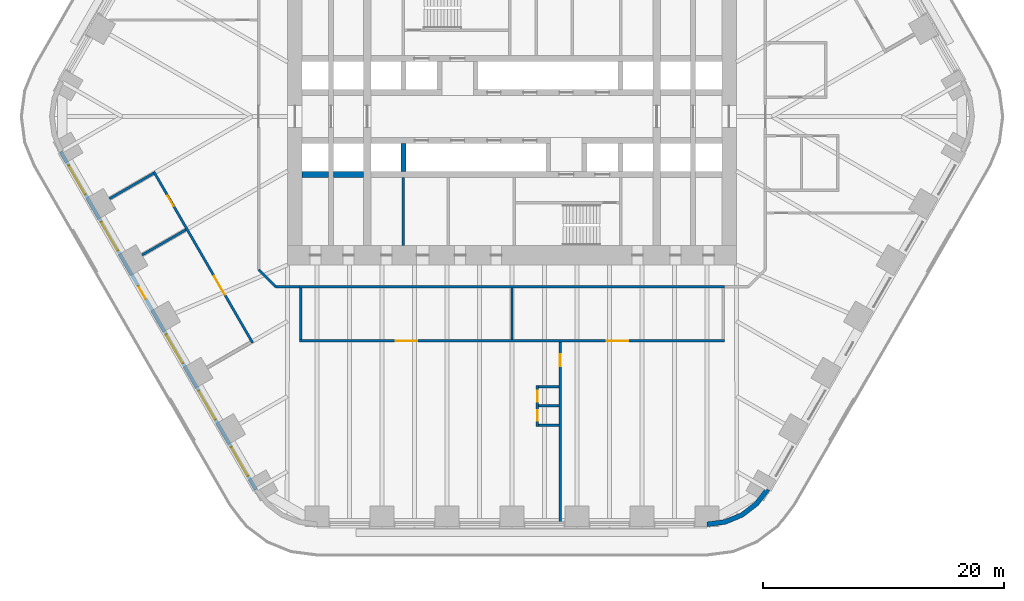
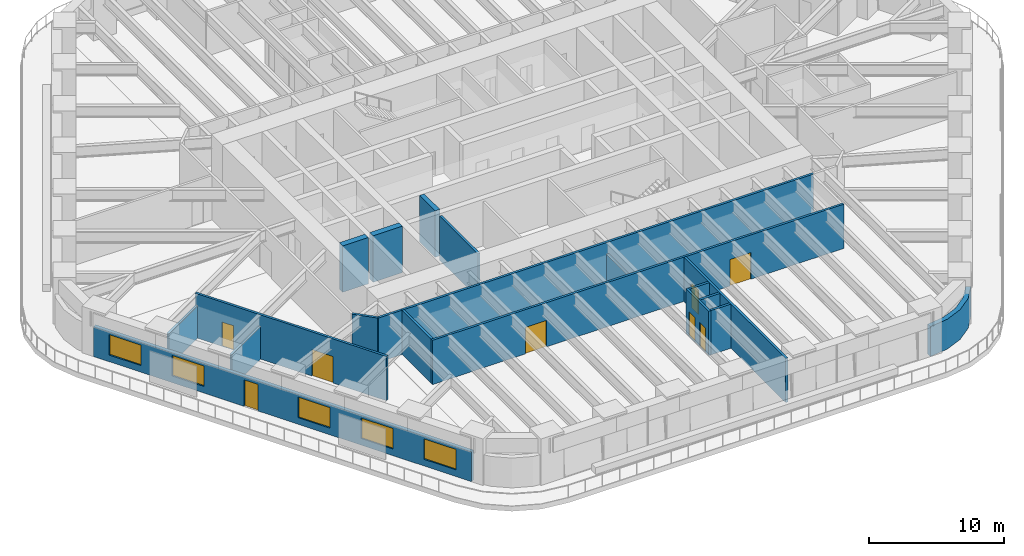
# One storey, part 16 of 24: 20 walls, 8 doors, 5 windows, 13 openings.
"""IFC4 building model written with IfcOpenShell, lengths in metres."""

from ifc_helpers import new_model, si_unit, direction, frame, frame_2d, origin, place, context, subcontext, project, spatial, polyline, rectangle, outline, extrude, material, layer, layer_set, type_object, element, fill, save


model = new_model("IFC4")

# Units and contexts
model_context = context("Model", 3, precision=1e-05, world=origin(), true_north=direction((0.0, 1.0)))
body_context = subcontext(model_context, "Body", "Model", "MODEL_VIEW")
ifc_project = project(units=[si_unit("LENGTHUNIT", "METRE"), si_unit("AREAUNIT", "SQUARE_METRE"), si_unit("VOLUMEUNIT", "CUBIC_METRE"), si_unit("PLANEANGLEUNIT", "RADIAN"), si_unit("MASSUNIT", "GRAM", prefix="KILO")], contexts=[model_context])

# Site, building, storey
site_placement = place(None, origin())
site = spatial("IfcSite", under=ifc_project, at=site_placement, CompositionType="ELEMENT")
building_placement = place(site_placement, origin())
building = spatial("IfcBuilding", under=site, at=building_placement, Name="Tarfa Lantern Tower", CompositionType="ELEMENT")
storey_placement = place(building_placement, frame((0.0, 0.0, 65.5)))
storey = spatial("IfcBuildingStorey", under=building, at=storey_placement, Name="L14", CompositionType="ELEMENT", Elevation=65.5)

# Wall, openings, door, windows
ifc_material_1 = material(Name="Limestone cladding on blockwork", Category="masonry")
ifc_layer_1 = layer(ifc_material_1, 0.300048828125)
ifc_layer_set_1 = layer_set([ifc_layer_1], Name="EW1 STONE-CLAD WALL 300")
wall_type_1 = type_object("IfcWallType", Name="EW1 STONE-CLAD WALL 300", PredefinedType="SOLIDWALL", material=ifc_layer_set_1)
wall_1_placement = place(storey_placement, frame((-37.39794921875, -2.925048828125, 0.0), z_axis=(0.0, 0.0, 1.0), x_axis=(0.499999163675, -0.866025886636, 0.0)))
wall_1 = element("IfcWall", 1, at=wall_1_placement, inside=storey, type_object=wall_type_1, Name="Stone wall SW", PredefinedType="SOLIDWALL", context=body_context, shape_type="SweptSolid", body=[
    extrude(rectangle(XDim=32.33154296875, YDim=0.300048828125, at=frame_2d((16.165771484375, 0.0))), origin(), (0.0, 0.0, 1.0), 2.699951171875),
])
opening_1_placement = place(wall_1_placement, frame((1.3193359375, 0.0, 0.60009765625)))
opening_1 = element("IfcOpeningElement", 2, at=opening_1_placement, cuts=wall_1, Name="Opening W2", PredefinedType="OPENING", context=body_context, shape_type="SweptSolid", body=[
    extrude(rectangle(XDim=2.75, YDim=1.85009765625, at=frame_2d((1.375, 0.925048828125))), frame((0.0, 0.159912109375, 0.0), z_axis=(0.0, -1.0, 0.0), x_axis=(1.0, 0.0, 0.0)), (0.0, 0.0, 1.0), 0.320068359375),
])
opening_2_placement = place(wall_1_placement, frame((6.7080078125, 0.0, 0.60009765625)))
opening_2 = element("IfcOpeningElement", 3, at=opening_2_placement, cuts=wall_1, Name="Opening W2", PredefinedType="OPENING", context=body_context, shape_type="SweptSolid", body=[
    extrude(rectangle(XDim=2.75, YDim=1.85009765625, at=frame_2d((1.375, 0.925048828125))), frame((0.0, 0.159912109375, 0.0), z_axis=(0.0, -1.0, 0.0), x_axis=(1.0, 0.0, 0.0)), (0.0, 0.0, 1.0), 0.320068359375),
])
opening_3_placement = place(wall_1_placement, frame((12.87158203125, 0.0, 0.0)))
opening_3 = element("IfcOpeningElement", 4, at=opening_3_placement, cuts=wall_1, Name="Opening D56", PredefinedType="OPENING", context=body_context, shape_type="SweptSolid", body=[
    extrude(rectangle(XDim=1.199951171875, YDim=2.39990234375, at=frame_2d((0.60009765625, 1.199951171875))), frame((0.0, 0.159912109375, 0.0), z_axis=(0.0, -1.0, 0.0), x_axis=(1.0, 0.0, 0.0)), (0.0, 0.0, 1.0), 0.320068359375),
])
opening_4_placement = place(wall_1_placement, frame((17.485107421875, 0.0, 0.60009765625)))
opening_4 = element("IfcOpeningElement", 5, at=opening_4_placement, cuts=wall_1, Name="Opening W2", PredefinedType="OPENING", context=body_context, shape_type="SweptSolid", body=[
    extrude(rectangle(XDim=2.75, YDim=1.85009765625, at=frame_2d((1.375, 0.925048828125))), frame((0.0, 0.159912109375, 0.0), z_axis=(0.0, -1.0, 0.0), x_axis=(1.0, 0.0, 0.0)), (0.0, 0.0, 1.0), 0.320068359375),
])
opening_5_placement = place(wall_1_placement, frame((22.873779296875, 0.0, 0.60009765625)))
opening_5 = element("IfcOpeningElement", 6, at=opening_5_placement, cuts=wall_1, Name="Opening W2", PredefinedType="OPENING", context=body_context, shape_type="SweptSolid", body=[
    extrude(rectangle(XDim=2.75, YDim=1.85009765625, at=frame_2d((1.375, 0.925048828125))), frame((0.0, 0.159912109375, 0.0), z_axis=(0.0, -1.0, 0.0), x_axis=(1.0, 0.0, 0.0)), (0.0, 0.0, 1.0), 0.320068359375),
])
opening_6_placement = place(wall_1_placement, frame((28.26220703125, 0.0, 0.60009765625)))
opening_6 = element("IfcOpeningElement", 7, at=opening_6_placement, cuts=wall_1, Name="Opening W2", PredefinedType="OPENING", context=body_context, shape_type="SweptSolid", body=[
    extrude(rectangle(XDim=2.75, YDim=1.85009765625, at=frame_2d((1.375, 0.925048828125))), frame((0.0, 0.159912109375, 0.0), z_axis=(0.0, -1.0, 0.0), x_axis=(1.0, 0.0, 0.0)), (0.0, 0.0, 1.0), 0.320068359375),
])
ifc_material_2 = material(Name="Aluminium framed glazed door", Category="aluminium")
door_type_1 = type_object("IfcDoorType", Name="BE3 BALCONY DOOR 1200x2400", OperationType="SINGLE_SWING_RIGHT", PredefinedType="DOOR", material=ifc_material_2)
door_1_placement = place(opening_3_placement, origin())
door_1 = element("IfcDoor", 8, at=door_1_placement, inside=storey, type_object=door_type_1, Name="Balcony door SW", OperationType="SINGLE_SWING_RIGHT", OverallHeight=2.39990234375, OverallWidth=1.199951171875, PredefinedType="DOOR", context=body_context, shape_type="SweptSolid", body=[
    extrude(rectangle(XDim=1.199951171875, YDim=2.39990234375, at=frame_2d((0.60009765625, 1.199951171875))), frame((0.0, 0.02490234375, 0.0), z_axis=(0.0, -1.0, 0.0), x_axis=(1.0, 0.0, 0.0)), (0.0, 0.0, 1.0), 0.050048828125),
])
fill(opening_3, door_1)
ifc_material_3 = material(Name="Aluminium frame, double glazed", Category="aluminium")
window_type = type_object("IfcWindowType", Name="W2 FULL-HEIGHT GLAZING 2750x1850", PartitioningType="SINGLE_PANEL", PredefinedType="WINDOW", material=ifc_material_3)
window_1_placement = place(opening_1_placement, origin())
window_1 = element("IfcWindow", 9, at=window_1_placement, inside=storey, type_object=window_type, Name="Window SW 1", OverallHeight=1.85009765625, OverallWidth=2.75, PartitioningType="SINGLE_PANEL", PredefinedType="WINDOW", context=body_context, shape_type="SweptSolid", body=[
    extrude(rectangle(XDim=2.75, YDim=1.85009765625, at=frame_2d((1.375, 0.925048828125))), frame((0.0, 0.030029296875, 0.0), z_axis=(0.0, -1.0, 0.0), x_axis=(1.0, 0.0, 0.0)), (0.0, 0.0, 1.0), 0.06005859375),
])
fill(opening_1, window_1)
window_2_placement = place(opening_2_placement, origin())
window_2 = element("IfcWindow", 10, at=window_2_placement, inside=storey, type_object=window_type, Name="Window SW 2", OverallHeight=1.85009765625, OverallWidth=2.75, PartitioningType="SINGLE_PANEL", PredefinedType="WINDOW", context=body_context, shape_type="SweptSolid", body=[
    extrude(rectangle(XDim=2.75, YDim=1.85009765625, at=frame_2d((1.375, 0.925048828125))), frame((0.0, 0.030029296875, 0.0), z_axis=(0.0, -1.0, 0.0), x_axis=(1.0, 0.0, 0.0)), (0.0, 0.0, 1.0), 0.06005859375),
])
fill(opening_2, window_2)
window_3_placement = place(opening_4_placement, origin())
window_3 = element("IfcWindow", 11, at=window_3_placement, inside=storey, type_object=window_type, Name="Window SW 4", OverallHeight=1.85009765625, OverallWidth=2.75, PartitioningType="SINGLE_PANEL", PredefinedType="WINDOW", context=body_context, shape_type="SweptSolid", body=[
    extrude(rectangle(XDim=2.75, YDim=1.85009765625, at=frame_2d((1.375, 0.925048828125))), frame((0.0, 0.030029296875, 0.0), z_axis=(0.0, -1.0, 0.0), x_axis=(1.0, 0.0, 0.0)), (0.0, 0.0, 1.0), 0.06005859375),
])
fill(opening_4, window_3)
window_4_placement = place(opening_5_placement, origin())
window_4 = element("IfcWindow", 12, at=window_4_placement, inside=storey, type_object=window_type, Name="Window SW 5", OverallHeight=1.85009765625, OverallWidth=2.75, PartitioningType="SINGLE_PANEL", PredefinedType="WINDOW", context=body_context, shape_type="SweptSolid", body=[
    extrude(rectangle(XDim=2.75, YDim=1.85009765625, at=frame_2d((1.375, 0.925048828125))), frame((0.0, 0.030029296875, 0.0), z_axis=(0.0, -1.0, 0.0), x_axis=(1.0, 0.0, 0.0)), (0.0, 0.0, 1.0), 0.06005859375),
])
fill(opening_5, window_4)
window_5_placement = place(opening_6_placement, origin())
window_5 = element("IfcWindow", 13, at=window_5_placement, inside=storey, type_object=window_type, Name="Window SW 6", OverallHeight=1.85009765625, OverallWidth=2.75, PartitioningType="SINGLE_PANEL", PredefinedType="WINDOW", context=body_context, shape_type="SweptSolid", body=[
    extrude(rectangle(XDim=2.75, YDim=1.85009765625, at=frame_2d((1.375, 0.925048828125))), frame((0.0, 0.030029296875, 0.0), z_axis=(0.0, -1.0, 0.0), x_axis=(1.0, 0.0, 0.0)), (0.0, 0.0, 1.0), 0.06005859375),
])
fill(opening_6, window_5)

# Walls
ifc_layer_2 = layer(ifc_material_1, 0.39990234375)
ifc_layer_set_2 = layer_set([ifc_layer_2], Name="EW2 CURVED STONE CORNER 400")
wall_type_2 = type_object("IfcWallType", Name="EW2 CURVED STONE CORNER 400", PredefinedType="SOLIDWALL", material=ifc_layer_set_2)
wall_2_placement = place(storey_placement, origin())
element("IfcWall", 14, at=wall_2_placement, inside=storey, type_object=wall_type_2, Name="Stone corner S-SE", PredefinedType="SOLIDWALL", context=body_context, shape_type="SweptSolid", body=[
    extrude(outline(polyline([(16.165771484375, -34.0), (17.71875, -33.795654296875), (19.165771484375, -33.196044921875), (20.408447265625, -32.24267578125), (21.362060546875, -31.0), (21.015625, -30.800048828125), (20.12548828125, -31.959716796875), (18.9658203125, -32.849853515625), (17.615234375, -33.4091796875), (16.165771484375, -33.60009765625), (16.165771484375, -34.0)])), origin(), (0.0, 0.0, 1.0), 2.699951171875),
])
ifc_material_4 = material(Name="Concrete blockwork", Category="masonry")
ifc_layer_3 = layer(ifc_material_4, 0.199951171875)
ifc_layer_set_3 = layer_set([ifc_layer_3], Name="IW1 BLOCKWORK PARTITION 200 EI 120")
wall_type_3 = type_object("IfcWallType", Name="IW1 BLOCKWORK PARTITION 200 EI 120", PredefinedType="PARTITIONING", material=ifc_layer_set_3)
wall_3_placement = place(storey_placement, frame((-9.0, -5.050048828125, 0.0), z_axis=(0.0, 0.0, 1.0), x_axis=(0.0, -1.0, 0.0)))
element("IfcWall", 15, at=wall_3_placement, inside=storey, type_object=wall_type_3, Name="Core partition", PredefinedType="PARTITIONING", context=body_context, shape_type="SweptSolid", body=[
    extrude(rectangle(XDim=5.64990234375, YDim=0.199951171875, at=frame_2d((2.824951171875, 0.0))), origin(), (0.0, 0.0, 1.0), 4.0),
])
ifc_material_5 = material(Name="Gypsum board on steel studs", Category="steel")
ifc_layer_4 = layer(ifc_material_5, 0.2099609375)
ifc_layer_set_4 = layer_set([ifc_layer_4], Name="IW2 ACOUSTIC PARTITION 200")
wall_type_4 = type_object("IfcWallType", Name="IW2 ACOUSTIC PARTITION 200", PredefinedType="PARTITIONING", material=ifc_layer_set_4)
wall_4_placement = place(storey_placement, frame((17.60009765625, -14.10009765625, 0.0), z_axis=(0.0, 0.0, 1.0), x_axis=(-1.0, 0.0, 0.0)))
element("IfcWall", 16, at=wall_4_placement, inside=storey, type_object=wall_type_4, Name="Partition", PredefinedType="PARTITIONING", context=body_context, shape_type="SweptSolid", body=[
    extrude(rectangle(XDim=35.2001953125, YDim=0.199951171875, at=frame_2d((17.60009765625, 0.0))), origin(), (0.0, 0.0, 1.0), 4.0),
])

# Wall, openings, doors
wall_5_placement = place(storey_placement, frame((17.60009765625, -18.60009765625, 0.0), z_axis=(0.0, 0.0, 1.0), x_axis=(-1.0, 0.0, 0.0)))
wall_5 = element("IfcWall", 17, at=wall_5_placement, inside=storey, type_object=wall_type_4, Name="Partition", PredefinedType="PARTITIONING", context=body_context, shape_type="SweptSolid", body=[
    extrude(rectangle(XDim=35.2001953125, YDim=0.199951171875, at=frame_2d((17.60009765625, 0.0))), origin(), (0.0, 0.0, 1.0), 4.0),
])
opening_7_placement = place(wall_5_placement, frame((7.949951171875, 0.0, 0.0)))
opening_7 = element("IfcOpeningElement", 18, at=opening_7_placement, cuts=wall_5, Name="Opening D41", PredefinedType="OPENING", context=body_context, shape_type="SweptSolid", body=[
    extrude(rectangle(XDim=1.800048828125, YDim=2.39990234375, at=frame_2d((0.89990234375, 1.199951171875))), frame((0.0, 0.10986328125, 0.0), z_axis=(0.0, -1.0, 0.0), x_axis=(1.0, 0.0, 0.0)), (0.0, 0.0, 1.0), 0.219970703125),
])
opening_8_placement = place(wall_5_placement, frame((25.449951171875, 0.0, 0.0)))
opening_8 = element("IfcOpeningElement", 19, at=opening_8_placement, cuts=wall_5, Name="Opening D42", PredefinedType="OPENING", context=body_context, shape_type="SweptSolid", body=[
    extrude(rectangle(XDim=1.800048828125, YDim=2.39990234375, at=frame_2d((0.89990234375, 1.199951171875))), frame((0.0, 0.10986328125, 0.0), z_axis=(0.0, -1.0, 0.0), x_axis=(1.0, 0.0, 0.0)), (0.0, 0.0, 1.0), 0.219970703125),
])
ifc_material_6 = material(Name="Timber door", Category="wood")
door_type_2 = type_object("IfcDoorType", Name="DR2 ROOM DOOR 1800x2400", OperationType="DOUBLE_DOOR_SINGLE_SWING", PredefinedType="DOOR", material=ifc_material_6)
door_2_placement = place(opening_7_placement, frame((1.800048828125, 0.0, 0.0), z_axis=(0.0, 0.0, 1.0), x_axis=(-1.0, 0.0, 0.0)))
door_2 = element("IfcDoor", 20, at=door_2_placement, inside=storey, type_object=door_type_2, Name="Tender room door", OperationType="DOUBLE_DOOR_SINGLE_SWING", OverallHeight=2.39990234375, OverallWidth=1.800048828125, PredefinedType="DOOR", context=body_context, shape_type="SweptSolid", body=[
    extrude(rectangle(XDim=1.800048828125, YDim=2.39990234375, at=frame_2d((0.89990234375, 1.199951171875))), frame((0.0, 0.02490234375, 0.0), z_axis=(0.0, -1.0, 0.0), x_axis=(1.0, 0.0, 0.0)), (0.0, 0.0, 1.0), 0.050048828125),
])
fill(opening_7, door_2)
door_3_placement = place(opening_8_placement, frame((1.800048828125, 0.0, 0.0), z_axis=(0.0, 0.0, 1.0), x_axis=(-1.0, 0.0, 0.0)))
door_3 = element("IfcDoor", 21, at=door_3_placement, inside=storey, type_object=door_type_2, Name="Tender room door", OperationType="DOUBLE_DOOR_SINGLE_SWING", OverallHeight=2.39990234375, OverallWidth=1.800048828125, PredefinedType="DOOR", context=body_context, shape_type="SweptSolid", body=[
    extrude(rectangle(XDim=1.800048828125, YDim=2.39990234375, at=frame_2d((0.89990234375, 1.199951171875))), frame((0.0, 0.02490234375, 0.0), z_axis=(0.0, -1.0, 0.0), x_axis=(1.0, 0.0, 0.0)), (0.0, 0.0, 1.0), 0.050048828125),
])
fill(opening_8, door_3)

# Walls
wall_6_placement = place(storey_placement, frame((0.0, -14.199951171875, 0.0), z_axis=(0.0, 0.0, 1.0), x_axis=(0.0, -1.0, 0.0)))
element("IfcWall", 22, at=wall_6_placement, inside=storey, type_object=wall_type_4, Name="Partition", PredefinedType="PARTITIONING", context=body_context, shape_type="SweptSolid", body=[
    extrude(rectangle(XDim=4.300048828125, YDim=0.199951171875, at=frame_2d((2.14990234375, 0.0))), origin(), (0.0, 0.0, 1.0), 2.944091796875),
])
wall_7_placement = place(storey_placement, frame((-17.5, -14.199951171875, 0.0), z_axis=(0.0, 0.0, 1.0), x_axis=(0.0, -1.0, 0.0)))
element("IfcWall", 23, at=wall_7_placement, inside=storey, type_object=wall_type_4, Name="Partition", PredefinedType="PARTITIONING", context=body_context, shape_type="SweptSolid", body=[
    extrude(rectangle(XDim=4.300048828125, YDim=0.199951171875, at=frame_2d((2.14990234375, 0.0))), origin(), (0.0, 0.0, 1.0), 4.0),
])

# Wall, openings, doors
wall_8_placement = place(storey_placement, frame((-29.687255859375, -4.580078125, 0.0), z_axis=(0.0, 0.0, 1.0), x_axis=(0.500000949028, -0.866024855862, 0.0)))
wall_8 = element("IfcWall", 24, at=wall_8_placement, inside=storey, type_object=wall_type_4, Name="Partition", PredefinedType="PARTITIONING", context=body_context, shape_type="SweptSolid", body=[
    extrude(rectangle(XDim=16.36572265625, YDim=0.199951171875, at=frame_2d((8.182861328125, 0.0))), origin(), (0.0, 0.0, 1.0), 4.0),
])
opening_9_placement = place(wall_8_placement, frame((2.294189453125, 0.0, 0.0)))
opening_9 = element("IfcOpeningElement", 25, at=opening_9_placement, cuts=wall_8, Name="Opening D39", PredefinedType="OPENING", context=body_context, shape_type="SweptSolid", body=[
    extrude(rectangle(XDim=1.0, YDim=2.199951171875, at=frame_2d((0.5, 1.10009765625))), frame((0.0, 0.10986328125, 0.0), z_axis=(0.0, -1.0, 0.0), x_axis=(1.0, 0.0, 0.0)), (0.0, 0.0, 1.0), 0.219970703125),
])
opening_10_placement = place(wall_8_placement, frame((9.977294921875, 0.0, 0.0)))
opening_10 = element("IfcOpeningElement", 26, at=opening_10_placement, cuts=wall_8, Name="Opening D40", PredefinedType="OPENING", context=body_context, shape_type="SweptSolid", body=[
    extrude(rectangle(XDim=1.800048828125, YDim=2.39990234375, at=frame_2d((0.89990234375, 1.199951171875))), frame((0.0, 0.10986328125, 0.0), z_axis=(0.0, -1.0, 0.0), x_axis=(1.0, 0.0, 0.0)), (0.0, 0.0, 1.0), 0.219970703125),
])
door_type_3 = type_object("IfcDoorType", Name="DR1 ROOM DOOR 1000x2200", OperationType="SINGLE_SWING_LEFT", PredefinedType="DOOR", material=ifc_material_6)
door_4_placement = place(opening_9_placement, frame((1.0, 0.0, 0.0), z_axis=(0.0, 0.0, 1.0), x_axis=(-1.0, 0.0, 0.0)))
door_4 = element("IfcDoor", 27, at=door_4_placement, inside=storey, type_object=door_type_3, Name="Quality inspection room door", OperationType="SINGLE_SWING_LEFT", OverallHeight=2.199951171875, OverallWidth=1.0, PredefinedType="DOOR", context=body_context, shape_type="SweptSolid", body=[
    extrude(rectangle(XDim=1.0, YDim=2.199951171875, at=frame_2d((0.5, 1.10009765625))), frame((0.0, 0.02490234375, 0.0), z_axis=(0.0, -1.0, 0.0), x_axis=(1.0, 0.0, 0.0)), (0.0, 0.0, 1.0), 0.050048828125),
])
fill(opening_9, door_4)
door_5_placement = place(opening_10_placement, frame((1.800048828125, 0.0, 0.0), z_axis=(0.0, 0.0, 1.0), x_axis=(-1.0, 0.0, 0.0)))
door_5 = element("IfcDoor", 28, at=door_5_placement, inside=storey, type_object=door_type_2, Name="File room door", OperationType="DOUBLE_DOOR_SINGLE_SWING", OverallHeight=2.39990234375, OverallWidth=1.800048828125, PredefinedType="DOOR", context=body_context, shape_type="SweptSolid", body=[
    extrude(rectangle(XDim=1.800048828125, YDim=2.39990234375, at=frame_2d((0.89990234375, 1.199951171875))), frame((0.0, 0.02490234375, 0.0), z_axis=(0.0, -1.0, 0.0), x_axis=(1.0, 0.0, 0.0)), (0.0, 0.0, 1.0), 0.050048828125),
])
fill(opening_10, door_5)

# Walls
for number, where, z_axis, x_axis, name in (
    (29, (-29.723876953125, -4.716552734375, 0.0), (0.0, 0.0, 1.0), (-0.866023935413, -0.500002543286, 0.0), "Partition"),
    (30, (-27.029541015625, -9.38330078125, 0.0), (0.0, 0.0, 1.0), (-0.866023935413, -0.500002543286, 0.0), "Partition"),
):
    element("IfcWall", number, at=place(storey_placement, frame(where, z_axis=z_axis, x_axis=x_axis)), inside=storey, type_object=wall_type_4, Name=name, PredefinedType="PARTITIONING", context=body_context, shape_type="SweptSolid", body=[
        extrude(rectangle(XDim=4.2001953125, YDim=0.199951171875, at=frame_2d((2.10009765625, 0.0))), origin(), (0.0, 0.0, 1.0), 2.944091796875),
    ])
wall_9_placement = place(storey_placement, frame((-17.60009765625, -14.10009765625, 0.0), z_axis=(0.0, 0.0, 1.0), x_axis=(-1.0, 0.0, 0.0)))
element("IfcWall", 31, at=wall_9_placement, inside=storey, type_object=wall_type_4, Name="Partition", PredefinedType="PARTITIONING", context=body_context, shape_type="SweptSolid", body=[
    extrude(rectangle(XDim=2.0, YDim=0.199951171875, at=frame_2d((1.0, 0.0))), origin(), (0.0, 0.0, 1.0), 4.0),
])
wall_10_placement = place(storey_placement, frame((-19.60009765625, -14.10009765625, 0.0), z_axis=(0.0, 0.0, 1.0), x_axis=(-0.707045124756, 0.707168432242, 0.0)))
element("IfcWall", 32, at=wall_10_placement, inside=storey, type_object=wall_type_4, Name="Partition", PredefinedType="PARTITIONING", context=body_context, shape_type="SweptSolid", body=[
    extrude(rectangle(XDim=1.97998046875, YDim=0.199951171875, at=frame_2d((0.989990234375, 0.0))), origin(), (0.0, 0.0, 1.0), 4.0),
])

# Wall, opening, door
wall_11_placement = place(storey_placement, frame((4.0, -18.699951171875, 0.0), z_axis=(0.0, 0.0, 1.0), x_axis=(0.0, -1.0, 0.0)))
wall_11 = element("IfcWall", 33, at=wall_11_placement, inside=storey, type_object=wall_type_4, Name="Partition", PredefinedType="PARTITIONING", context=body_context, shape_type="SweptSolid", body=[
    extrude(rectangle(XDim=15.10009765625, YDim=0.199951171875, at=frame_2d((7.550048828125, 0.0))), origin(), (0.0, 0.0, 1.0), 4.0),
])
opening_11_placement = place(wall_11_placement, frame((1.010009765625, 0.0, 0.0)))
opening_11 = element("IfcOpeningElement", 34, at=opening_11_placement, cuts=wall_11, Name="Opening D52", PredefinedType="OPENING", context=body_context, shape_type="SweptSolid", body=[
    extrude(rectangle(XDim=1.0, YDim=2.199951171875, at=frame_2d((0.5, 1.10009765625))), frame((0.0, 0.10986328125, 0.0), z_axis=(0.0, -1.0, 0.0), x_axis=(1.0, 0.0, 0.0)), (0.0, 0.0, 1.0), 0.219970703125),
])
door_6_placement = place(opening_11_placement, origin())
door_6 = element("IfcDoor", 35, at=door_6_placement, inside=storey, type_object=door_type_3, Name="Zone door", OperationType="SINGLE_SWING_RIGHT", OverallHeight=2.199951171875, OverallWidth=1.0, PredefinedType="DOOR", context=body_context, shape_type="SweptSolid", body=[
    extrude(rectangle(XDim=1.0, YDim=2.199951171875, at=frame_2d((0.5, 1.10009765625))), frame((0.0, 0.02490234375, 0.0), z_axis=(0.0, -1.0, 0.0), x_axis=(1.0, 0.0, 0.0)), (0.0, 0.0, 1.0), 0.050048828125),
])
fill(opening_11, door_6)

# Wall, openings, doors
wall_12_placement = place(storey_placement, frame((2.10009765625, -22.284912109375, 0.0), z_axis=(0.0, 0.0, 1.0), x_axis=(0.0, -1.0, 0.0)))
wall_12 = element("IfcWall", 36, at=wall_12_placement, inside=storey, type_object=wall_type_4, Name="Partition", PredefinedType="PARTITIONING", context=body_context, shape_type="SweptSolid", body=[
    extrude(rectangle(XDim=3.400146484375, YDim=0.199951171875, at=frame_2d((1.7001953125, 0.0))), origin(), (0.0, 0.0, 1.0), 4.0),
])
opening_12_placement = place(wall_12_placement, frame((0.449951171875, 0.0, 0.0)))
opening_12 = element("IfcOpeningElement", 37, at=opening_12_placement, cuts=wall_12, Name="Opening D45", PredefinedType="OPENING", context=body_context, shape_type="SweptSolid", body=[
    extrude(rectangle(XDim=0.89990234375, YDim=2.199951171875, at=frame_2d((0.449951171875, 1.10009765625))), frame((0.0, 0.10986328125, 0.0), z_axis=(0.0, -1.0, 0.0), x_axis=(1.0, 0.0, 0.0)), (0.0, 0.0, 1.0), 0.219970703125),
])
opening_13_placement = place(wall_12_placement, frame((2.050048828125, 0.0, 0.0)))
opening_13 = element("IfcOpeningElement", 38, at=opening_13_placement, cuts=wall_12, Name="Opening D46", PredefinedType="OPENING", context=body_context, shape_type="SweptSolid", body=[
    extrude(rectangle(XDim=0.89990234375, YDim=2.199951171875, at=frame_2d((0.449951171875, 1.10009765625))), frame((0.0, 0.10986328125, 0.0), z_axis=(0.0, -1.0, 0.0), x_axis=(1.0, 0.0, 0.0)), (0.0, 0.0, 1.0), 0.219970703125),
])
door_type_4 = type_object("IfcDoorType", Name="DR3 ROOM DOOR 900x2200", OperationType="SINGLE_SWING_LEFT", PredefinedType="DOOR", material=ifc_material_6)
door_7_placement = place(opening_12_placement, origin())
door_7 = element("IfcDoor", 39, at=door_7_placement, inside=storey, type_object=door_type_4, Name="Phone booth door", OperationType="SINGLE_SWING_RIGHT", OverallHeight=2.199951171875, OverallWidth=0.89990234375, PredefinedType="DOOR", context=body_context, shape_type="SweptSolid", body=[
    extrude(rectangle(XDim=0.89990234375, YDim=2.199951171875, at=frame_2d((0.449951171875, 1.10009765625))), frame((0.0, 0.02490234375, 0.0), z_axis=(0.0, -1.0, 0.0), x_axis=(1.0, 0.0, 0.0)), (0.0, 0.0, 1.0), 0.050048828125),
])
fill(opening_12, door_7)
door_8_placement = place(opening_13_placement, origin())
door_8 = element("IfcDoor", 40, at=door_8_placement, inside=storey, type_object=door_type_4, Name="Phone booth door", OperationType="SINGLE_SWING_LEFT", OverallHeight=2.199951171875, OverallWidth=0.89990234375, PredefinedType="DOOR", context=body_context, shape_type="SweptSolid", body=[
    extrude(rectangle(XDim=0.89990234375, YDim=2.199951171875, at=frame_2d((0.449951171875, 1.10009765625))), frame((0.0, 0.02490234375, 0.0), z_axis=(0.0, -1.0, 0.0), x_axis=(1.0, 0.0, 0.0)), (0.0, 0.0, 1.0), 0.050048828125),
])
fill(opening_13, door_8)

# Walls
for number, where, z_axis, x_axis, name in (
    (41, (3.89990234375, -22.385009765625, 0.0), (0.0, 0.0, 1.0), (-1.0, 0.0, 0.0), "Partition"),
    (42, (3.89990234375, -23.985107421875, 0.0), (0.0, 0.0, 1.0), (-1.0, 0.0, 0.0), "Partition"),
    (43, (3.89990234375, -25.5849609375, 0.0), (0.0, 0.0, 1.0), (-1.0, 0.0, 0.0), "Partition"),
):
    element("IfcWall", number, at=place(storey_placement, frame(where, z_axis=z_axis, x_axis=x_axis)), inside=storey, type_object=wall_type_4, Name=name, PredefinedType="PARTITIONING", context=body_context, shape_type="SweptSolid", body=[
        extrude(rectangle(XDim=1.699951171875, YDim=0.199951171875, at=frame_2d((0.85009765625, 0.0))), origin(), (0.0, 0.0, 1.0), 4.0),
    ])
ifc_material_7 = material(Name="Concrete C80/95", Category="concrete")
ifc_layer_5 = layer(ifc_material_7, 0.5)
ifc_layer_set_5 = layer_set([ifc_layer_5], Name="SW5 CORE WALL 500")
wall_type_5 = type_object("IfcWallType", Name="SW5 CORE WALL 500", PredefinedType="SHEAR", material=ifc_layer_set_5)
wall_13_placement = place(storey_placement, frame((-12.300048828125, -4.800048828125, 0.0), z_axis=(0.0, 0.0, 1.0), x_axis=(-1.0, 0.0, 0.0)))
element("IfcWall", 44, at=wall_13_placement, inside=storey, type_object=wall_type_5, Name="Core wall rear S", PredefinedType="SHEAR", context=body_context, shape_type="SweptSolid", body=[
    extrude(rectangle(XDim=2.5, YDim=0.5, at=frame_2d((1.25, 0.0))), origin(), (0.0, 0.0, 1.0), 4.199951171875),
])
wall_14_placement = place(storey_placement, frame((-15.199951171875, -4.800048828125, 0.0), z_axis=(0.0, 0.0, 1.0), x_axis=(-1.0, 0.0, 0.0)))
element("IfcWall", 45, at=wall_14_placement, inside=storey, type_object=wall_type_5, Name="Core wall rear S", PredefinedType="SHEAR", context=body_context, shape_type="SweptSolid", body=[
    extrude(rectangle(XDim=2.199951171875, YDim=0.5, at=frame_2d((1.10009765625, 0.0))), origin(), (0.0, 0.0, 1.0), 4.199951171875),
])
ifc_layer_6 = layer(ifc_material_7, 0.39990234375)
ifc_layer_set_6 = layer_set([ifc_layer_6], Name="SW6 CORE WALL 400")
wall_type_6 = type_object("IfcWallType", Name="SW6 CORE WALL 400", PredefinedType="SHEAR", material=ifc_layer_set_6)
wall_15_placement = place(storey_placement, frame((-9.0, -2.25, 0.0), z_axis=(0.0, 0.0, 1.0), x_axis=(0.0, -1.0, 0.0)))
element("IfcWall", 46, at=wall_15_placement, inside=storey, type_object=wall_type_6, Name="Core wall divider S", PredefinedType="SHEAR", context=body_context, shape_type="SweptSolid", body=[
    extrude(rectangle(XDim=2.300048828125, YDim=0.39990234375, at=frame_2d((1.14990234375, 0.0))), origin(), (0.0, 0.0, 1.0), 4.199951171875),
])

save(model, "model.ifc")
